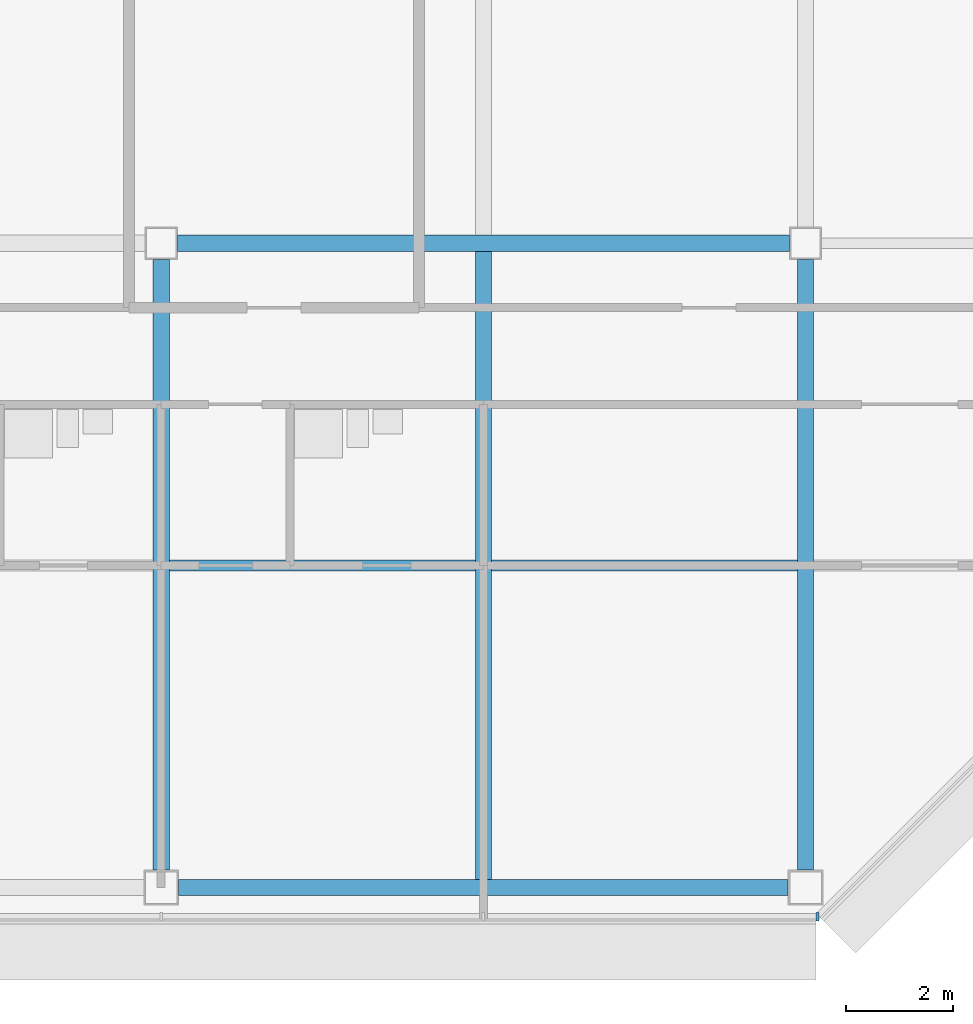
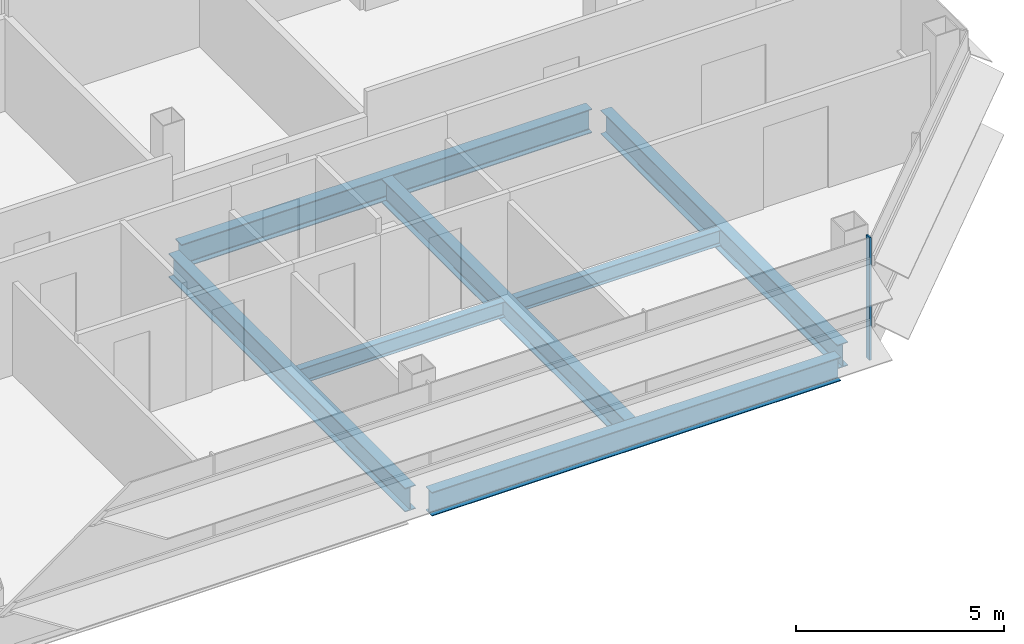
# One storey, part 9 of 27: 7 beams, 1 member, 1 element without a shape of its own.
"""IFC4 building model written with IfcOpenShell, lengths in metres."""

import ifcopenshell
import ifcopenshell.guid

model = None  # the IFC model being written
_history = None  # IfcOwnerHistory: only IFC2X3 demands one
_inside = {}  # id of a spatial element -> (the spatial element, [elements in it])
_under = {}  # id of a project, library or spatial element -> (it, [spatial elements below it])
_declared = {}  # id of a project -> (the project, [libraries it declares])
_typed = {}  # id of a type object -> (the type object, [elements of that type])
_made_of = {}  # id of a material, layer set ... -> (it, [elements and type objects made of it])


def new_model(schema):
    """Start an empty IFC model of exactly this schema.

    Asked for "IFC4X3", IfcOpenShell would pick the latest addendum, in which some entities
    have other attributes; the version numbers below select the first issue.
    IFC2X3 requires an IfcOwnerHistory on every rooted entity: one is made here for all.
    """
    global model, _history
    if schema == "IFC4X3":
        model = ifcopenshell.file(schema_version=(4, 3, 0, 0))
    else:
        model = ifcopenshell.file(schema=schema)
    _inside.clear()
    _under.clear()
    _declared.clear()
    _typed.clear()
    _made_of.clear()
    _history = None
    if model.schema == "IFC2X3":
        org = make("IfcOrganization", Name="unknown")
        user = make(
            "IfcPersonAndOrganization",
            ThePerson=make("IfcPerson", FamilyName="unknown"),
            TheOrganization=org,
        )
        app = make(
            "IfcApplication",
            ApplicationDeveloper=org,
            Version="unknown",
            ApplicationFullName="unknown",
            ApplicationIdentifier="unknown",
        )
        _history = make(
            "IfcOwnerHistory",
            OwningUser=user,
            OwningApplication=app,
            ChangeAction="ADDED",
            CreationDate=0,
        )
    return model


def make(cls, **values):
    """One entity of the class cls with the attributes given. An attribute that is None is left unset."""
    return model.create_entity(
        cls, **{name: value for name, value in values.items() if value is not None}
    )


def rooted(cls, **values):
    """An entity with a GlobalId (a new one), such as an element, a storey or a relation."""
    return make(cls, GlobalId=ifcopenshell.guid.new(), OwnerHistory=_history, **values)


def si_unit(unit_type, name, prefix=None):
    """IfcSIUnit, for example si_unit("LENGTHUNIT", "METRE", prefix="MILLI")."""
    return make("IfcSIUnit", UnitType=unit_type, Prefix=prefix, Name=name)


def assignment(units):
    """IfcUnitAssignment: the units of a project."""
    return None if units is None else make("IfcUnitAssignment", Units=units)


def point(xyz):
    """IfcCartesianPoint."""
    return None if xyz is None else make("IfcCartesianPoint", Coordinates=xyz)


def direction(xyz):
    """IfcDirection."""
    return None if xyz is None else make("IfcDirection", DirectionRatios=xyz)


def frame(location, z_axis=None, x_axis=None):
    """IfcAxis2Placement3D, a coordinate frame: its origin and axes. An axis left out is left unset."""
    return make(
        "IfcAxis2Placement3D",
        Location=point(location),
        Axis=direction(z_axis),
        RefDirection=direction(x_axis),
    )


def frame_2d(location, x_axis=None):
    """IfcAxis2Placement2D, a coordinate frame in the plane: its origin and x axis."""
    return make(
        "IfcAxis2Placement2D", Location=point(location), RefDirection=direction(x_axis)
    )


def origin():
    """The frame at (0, 0, 0) with its axes left unset."""
    return frame((0.0, 0.0, 0.0))


def origin_2d():
    """The frame at (0, 0) in the plane with its x axis left unset."""
    return frame_2d((0.0, 0.0))


def place(relative_to, where):
    """IfcLocalPlacement: puts the frame where relative to a parent placement (None: the world)."""
    return make(
        "IfcLocalPlacement", PlacementRelTo=relative_to, RelativePlacement=where
    )


def context(
    kind, dimensions, precision=None, world=None, true_north=None, identifier=None
):
    """IfcGeometricRepresentationContext, for example the 3D "Model" context."""
    return make(
        "IfcGeometricRepresentationContext",
        ContextIdentifier=identifier,
        ContextType=kind,
        CoordinateSpaceDimension=dimensions,
        Precision=precision,
        WorldCoordinateSystem=world,
        TrueNorth=true_north,
    )


def subcontext(parent, identifier, kind, view, scale=None):
    """IfcGeometricRepresentationSubContext, for example "Body" below "Model"."""
    return make(
        "IfcGeometricRepresentationSubContext",
        ContextIdentifier=identifier,
        ContextType=kind,
        ParentContext=parent,
        TargetScale=scale,
        TargetView=view,
    )


def project(units=None, contexts=None):
    """IfcProject with its units and contexts."""
    return rooted(
        "IfcProject",
        Name="project",
        RepresentationContexts=contexts,
        UnitsInContext=assignment(units),
    )


def spatial(cls, under=None, at=None, **own):
    """A site, building, storey or space (cls), placed at a placement, below another one or the project."""
    s = rooted(cls, ObjectPlacement=at, **own)
    if under is not None:
        _under.setdefault(under.id(), (under, []))[1].append(s)
    return s


def profile(cls, at=None, kind="AREA", **sizes):
    """A parametric profile (cls). Its sizes go by their IFC names, for example OverallWidth=200.0."""
    return make(cls, ProfileType=kind, Position=at, **sizes)


def rectangle(**sizes):
    """IfcRectangleProfileDef."""
    return profile("IfcRectangleProfileDef", **sizes)


def i_section(**sizes):
    """IfcIShapeProfileDef."""
    return profile("IfcIShapeProfileDef", **sizes)


def extrude(swept, where, along, depth):
    """IfcExtrudedAreaSolid: the profile swept, set in the frame where, extruded along a direction by depth."""
    return make(
        "IfcExtrudedAreaSolid",
        SweptArea=swept,
        Position=where,
        ExtrudedDirection=direction(along),
        Depth=depth,
    )


def shape(context_of_items, identifier, shape_type, items):
    """IfcShapeRepresentation: the items that make up one representation, for example the "Body"."""
    return make(
        "IfcShapeRepresentation",
        ContextOfItems=context_of_items,
        RepresentationIdentifier=identifier,
        RepresentationType=shape_type,
        Items=items,
    )


def material(Name=None, Category=None):
    """IfcMaterial."""
    return make("IfcMaterial", Name=Name, Category=Category)


def material_profile(
    of_material, cross_section, Name=None, Category=None, Priority=None
):
    """IfcMaterialProfile: a cross section and its material."""
    return make(
        "IfcMaterialProfile",
        Name=Name,
        Material=of_material,
        Profile=cross_section,
        Priority=Priority,
        Category=Category,
    )


def profile_set(profiles, Name=None, composite=None):
    """IfcMaterialProfileSet."""
    return make(
        "IfcMaterialProfileSet",
        Name=Name,
        MaterialProfiles=profiles,
        CompositeProfile=composite,
    )


def made_of(thing, what):
    """Note that an element or type object is made of a material, layer set ...; save() writes the relation."""
    if what is not None:
        _made_of.setdefault(what.id(), (what, []))[1].append(thing)
    return thing


def type_object(cls, material=None, **own):
    """A type object (cls), such as IfcWallType, which elements share."""
    return made_of(rooted(cls, **own), material)


def element(
    cls,
    number,
    at=None,
    inside=None,
    cuts=None,
    type_object=None,
    material=None,
    context=None,
    identifier="Body",
    shape_type=None,
    held_by="IfcProductDefinitionShape",
    body=None,
    shapes=None,
    **own,
):
    """One element of the class cls, such as IfcWall. Its Tag is "e" and its number.

    at: its placement. inside: the storey or other place that contains it. cuts: it is an
    opening in that element (IfcRelVoidsElement). A single representation is given by context,
    identifier, shape_type and body (its items); several are given by shapes. held_by: the class
    of the entity that holds the representations. save() writes the other relations.
    """
    e = rooted(cls, Tag="e%d" % number, ObjectPlacement=at, **own)
    if body is not None:
        shapes = [shape(context, identifier, shape_type, body)]
    if shapes is not None:
        e.Representation = make(held_by, Representations=shapes)
    if inside is not None:
        _inside.setdefault(inside.id(), (inside, []))[1].append(e)
    if cuts is not None:
        rooted(
            "IfcRelVoidsElement", RelatingBuildingElement=cuts, RelatedOpeningElement=e
        )
    if type_object is not None:
        _typed.setdefault(type_object.id(), (type_object, []))[1].append(e)
    return made_of(e, material)


def aggregate(whole, parts):
    """IfcRelAggregates: a whole, such as a stair, and the parts it consists of."""
    return rooted("IfcRelAggregates", RelatingObject=whole, RelatedObjects=parts)


def save(model, path):
    """Write the relations noted so far, then the file.

    IfcRelAggregates (storeys below a building ...), IfcRelContainedInSpatialStructure (elements
    in a storey), IfcRelDefinesByType, IfcRelAssociatesMaterial and IfcRelDeclares: one each for
    every whole, place, type object, material and project.
    """
    for whole, parts in _under.values():
        aggregate(whole, parts)
    for where, things in _inside.values():
        rooted(
            "IfcRelContainedInSpatialStructure",
            RelatedElements=things,
            RelatingStructure=where,
        )
    for kind, things in _typed.values():
        rooted("IfcRelDefinesByType", RelatedObjects=things, RelatingType=kind)
    for what, things in _made_of.values():
        rooted("IfcRelAssociatesMaterial", RelatedObjects=things, RelatingMaterial=what)
    for by, libraries in _declared.values():
        rooted("IfcRelDeclares", RelatingContext=by, RelatedDefinitions=libraries)
    model.write(path)


model = new_model("IFC4")

# Units and contexts
model_context = context("Model", 3, precision=1e-05, world=origin(), true_north=direction((0.0, 1.0)))
body_context = subcontext(model_context, "Body", "Model", "MODEL_VIEW")
ifc_project = project(units=[si_unit("LENGTHUNIT", "METRE"), si_unit("AREAUNIT", "SQUARE_METRE"), si_unit("VOLUMEUNIT", "CUBIC_METRE"), si_unit("PLANEANGLEUNIT", "RADIAN"), si_unit("MASSUNIT", "GRAM", prefix="KILO")], contexts=[model_context])

# Site, building, storey
site_placement = place(None, origin())
site = spatial("IfcSite", under=ifc_project, at=site_placement, CompositionType="ELEMENT")
building_placement = place(site_placement, origin())
building = spatial("IfcBuilding", under=site, at=building_placement, Name="Sorahane Residences", CompositionType="ELEMENT")
storey_placement = place(building_placement, frame((0.0, 0.0, 239.60009765625)))
storey = spatial("IfcBuildingStorey", under=building, at=storey_placement, Name="L56", CompositionType="ELEMENT", Elevation=239.60009765625)

# Curtain wall, member
ifc_material_1 = material(Name="Dark low-e glass and black anodised aluminium", Category="aluminium")
curtain_wall_type = type_object("IfcCurtainWallType", Name="Curtain wall CW-1 Typical unitised wall", PredefinedType="NOTDEFINED", material=ifc_material_1)
curtain_wall_placement = place(storey_placement, origin())
curtain_wall = element("IfcCurtainWall", 1, at=curtain_wall_placement, inside=storey, type_object=curtain_wall_type, Name="CW-1 curtain wall L56 S1", PredefinedType="NOTDEFINED")
ifc_material_2 = material(Name="Black anodised aluminium", Category="aluminium")
ifc_material_profile_1 = material_profile(ifc_material_2, rectangle(XDim=0.159912109375, YDim=0.050048828125, at=origin_2d()), Name="Curtain wall mullion CW-1 black anodised aluminium 50x160")
ifc_profile_set_1 = profile_set([ifc_material_profile_1], Name="Black anodised aluminium")
member_type = type_object("IfcMemberType", Name="Curtain wall mullion CW-1 black anodised aluminium 50x160", PredefinedType="MULLION", material=ifc_profile_set_1)
member_placement = place(storey_placement, frame((48.2236328125, -0.5400390625, -0.18017578125), z_axis=(0.0, 0.0, 1.0), x_axis=(0.0, -1.0, 0.0)))
member = element("IfcMember", 2, at=member_placement, type_object=member_type, Name="CW-1 mullion L56 S1.10", PredefinedType="MULLION", context=body_context, shape_type="SweptSolid", body=[
    extrude(rectangle(XDim=0.159912109375, YDim=0.050048828125, at=origin_2d()), origin(), (0.0, 0.0, 1.0), 3.60009765625),
])
aggregate(curtain_wall, [member])

# Beams
ifc_material_3 = material(Name="Steel Q355B", Category="steel")
ifc_material_profile_2 = material_profile(ifc_material_3, i_section(OverallWidth=0.199951171875, OverallDepth=0.449951171875, WebThickness=0.009033203125, FlangeThickness=0.013916015625, FilletRadius=0.02001953125, at=origin_2d()), Name="HN 450x200x9x14")
ifc_profile_set_2 = profile_set([ifc_material_profile_2], Name="Steel Q355B")
beam_type_1 = type_object("IfcBeamType", Name="Steel floor beam HN 450x200x9x14 Q355B", PredefinedType="BEAM", material=ifc_profile_set_2)
for number, where, z_axis, x_axis, name in (
    (3, (36.14990234375, 6.0, -0.405029296875), (1.0, 0.0, 0.0), (0.0, 1.0, 0.0), "Beam L56 075"),
    (4, (42.14990234375, 6.0, -0.405029296875), (1.0, 0.0, 0.0), (0.0, 1.0, 0.0), "Beam L56 076"),
):
    element("IfcBeam", number, at=place(storey_placement, frame(where, z_axis=z_axis, x_axis=x_axis)), inside=storey, type_object=beam_type_1, Name=name, PredefinedType="BEAM", context=body_context, shape_type="SweptSolid", body=[
        extrude(i_section(OverallWidth=0.199951171875, OverallDepth=0.449951171875, WebThickness=0.009033203125, FlangeThickness=0.013916015625, FilletRadius=0.02001953125, at=origin_2d()), origin(), (0.0, 0.0, 1.0), 5.7001953125),
    ])
ifc_material_4 = material(Name="Steel Q355B", Category="steel")
ifc_material_profile_3 = material_profile(ifc_material_4, i_section(OverallWidth=0.300048828125, OverallDepth=0.699951171875, WebThickness=0.012939453125, FlangeThickness=0.02392578125, FilletRadius=0.028076171875, at=origin_2d()), Name="HN 700x300x13x24")
ifc_profile_set_3 = profile_set([ifc_material_profile_3], Name="Steel Q355B")
beam_type_2 = type_object("IfcBeamType", Name="Steel floor beam HN 700x300x13x24 Q355B", PredefinedType="BEAM", material=ifc_profile_set_3)
beam_1_placement = place(storey_placement, frame((36.324951171875, 0.0, -0.530029296875), z_axis=(1.0, 0.0, 0.0), x_axis=(0.0, 1.0, 0.0)))
element("IfcBeam", 5, at=beam_1_placement, inside=storey, type_object=beam_type_2, Name="Beam L56 004", PredefinedType="BEAM", context=body_context, shape_type="SweptSolid", body=[
    extrude(i_section(OverallWidth=0.300048828125, OverallDepth=0.699951171875, WebThickness=0.012939453125, FlangeThickness=0.02392578125, FilletRadius=0.028076171875, at=origin_2d()), origin(), (0.0, 0.0, 1.0), 11.35009765625),
])
beam_2_placement = place(storey_placement, frame((36.300048828125, 12.0, -0.530029296875), z_axis=(1.0, 0.0, 0.0), x_axis=(0.0, 1.0, 0.0)))
element("IfcBeam", 6, at=beam_2_placement, inside=storey, type_object=beam_type_2, Name="Beam L56 009", PredefinedType="BEAM", context=body_context, shape_type="SweptSolid", body=[
    extrude(i_section(OverallWidth=0.300048828125, OverallDepth=0.699951171875, WebThickness=0.012939453125, FlangeThickness=0.02392578125, FilletRadius=0.028076171875, at=origin_2d()), origin(), (0.0, 0.0, 1.0), 11.39990234375),
])
beam_3_placement = place(storey_placement, frame((36.0, 0.324951171875, -0.530029296875), z_axis=(0.0, 1.0, 0.0), x_axis=(-1.0, 0.0, 0.0)))
element("IfcBeam", 7, at=beam_3_placement, inside=storey, type_object=beam_type_2, Name="Beam L56 050", PredefinedType="BEAM", context=body_context, shape_type="SweptSolid", body=[
    extrude(i_section(OverallWidth=0.300048828125, OverallDepth=0.699951171875, WebThickness=0.012939453125, FlangeThickness=0.02392578125, FilletRadius=0.028076171875, at=origin_2d()), origin(), (0.0, 0.0, 1.0), 11.375),
])
beam_4_placement = place(storey_placement, frame((42.0, 0.14990234375, -0.530029296875), z_axis=(0.0, 1.0, 0.0), x_axis=(-1.0, 0.0, 0.0)))
element("IfcBeam", 8, at=beam_4_placement, inside=storey, type_object=beam_type_2, Name="Beam L56 052", PredefinedType="BEAM", context=body_context, shape_type="SweptSolid", body=[
    extrude(i_section(OverallWidth=0.300048828125, OverallDepth=0.699951171875, WebThickness=0.012939453125, FlangeThickness=0.02392578125, FilletRadius=0.028076171875, at=origin_2d()), origin(), (0.0, 0.0, 1.0), 11.7001953125),
])
beam_5_placement = place(storey_placement, frame((48.0, 0.324951171875, -0.530029296875), z_axis=(0.0, 1.0, 0.0), x_axis=(-1.0, 0.0, 0.0)))
element("IfcBeam", 9, at=beam_5_placement, inside=storey, type_object=beam_type_2, Name="Beam L56 058", PredefinedType="BEAM", context=body_context, shape_type="SweptSolid", body=[
    extrude(i_section(OverallWidth=0.300048828125, OverallDepth=0.699951171875, WebThickness=0.012939453125, FlangeThickness=0.02392578125, FilletRadius=0.028076171875, at=origin_2d()), origin(), (0.0, 0.0, 1.0), 11.375),
])

save(model, "model.ifc")
